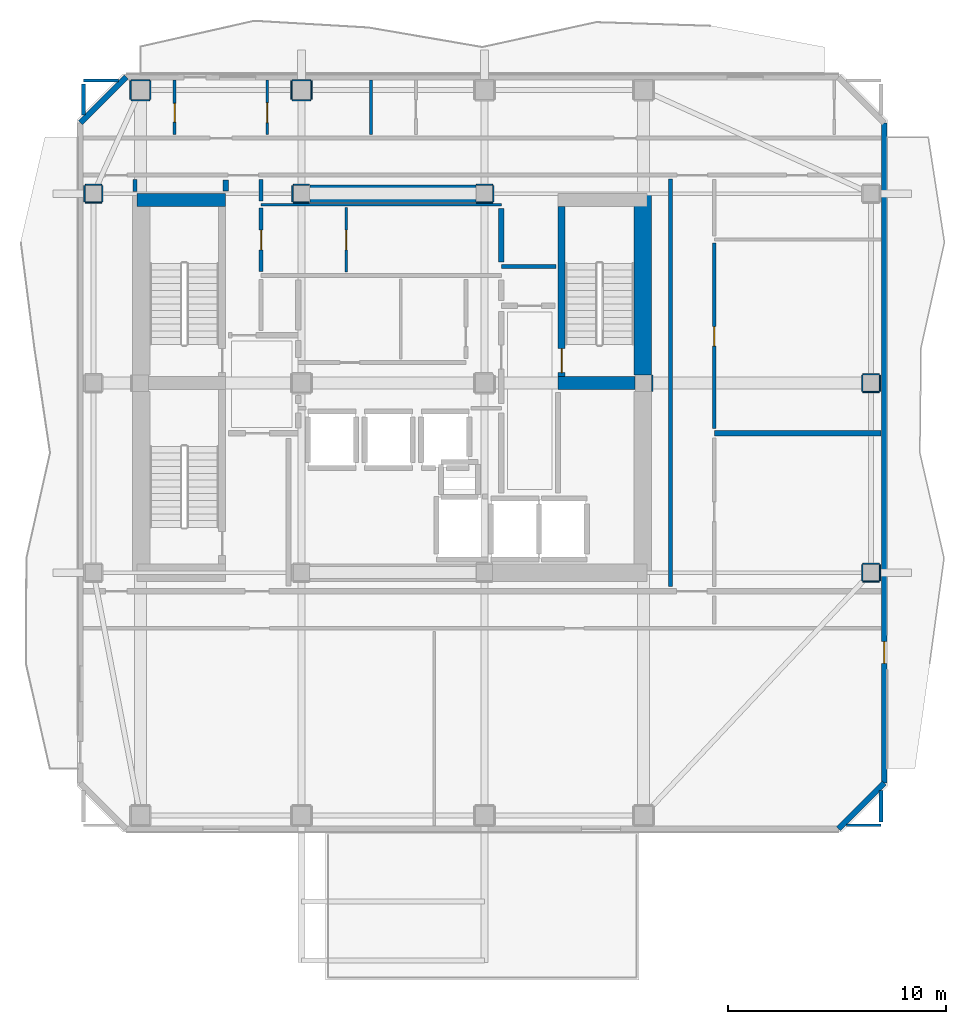
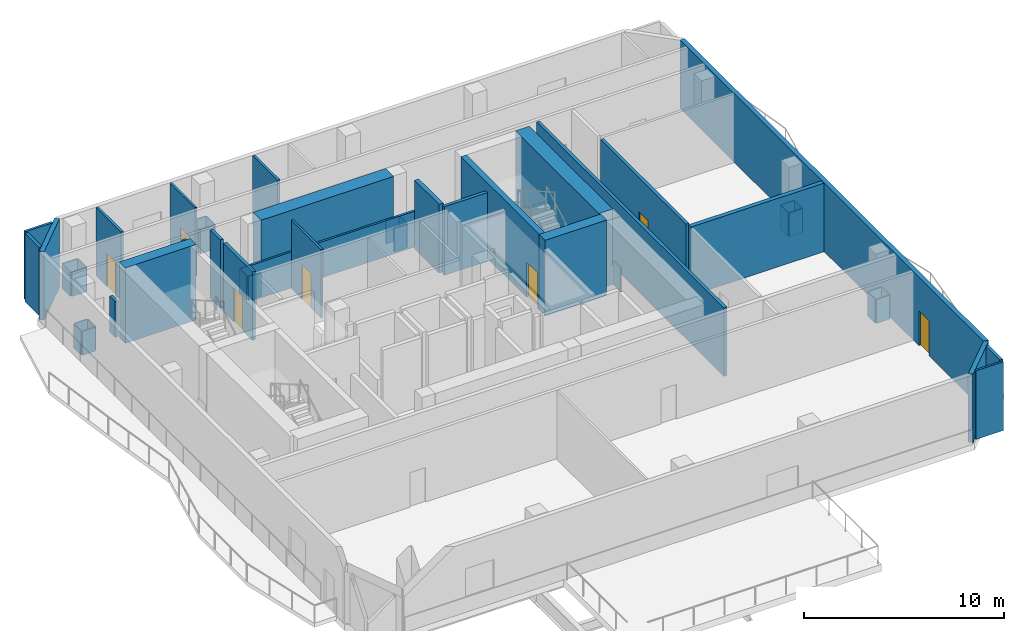
# One storey, part 4 of 10: 53 walls, 7 doors, 7 openings.
"""IFC4 building model written with IfcOpenShell, lengths in metres."""

from ifc_helpers import new_model, si_unit, direction, frame, frame_2d, origin, place, context, subcontext, project, spatial, rectangle, extrude, material, layer, layer_set, type_object, element, fill, save


model = new_model("IFC4")

# Units and contexts
model_context = context("Model", 3, precision=1e-05, world=origin(), true_north=direction((0.0, 1.0)))
body_context = subcontext(model_context, "Body", "Model", "MODEL_VIEW")
ifc_project = project(units=[si_unit("LENGTHUNIT", "METRE"), si_unit("AREAUNIT", "SQUARE_METRE"), si_unit("VOLUMEUNIT", "CUBIC_METRE"), si_unit("PLANEANGLEUNIT", "RADIAN"), si_unit("MASSUNIT", "GRAM", prefix="KILO")], contexts=[model_context])

# Site, building, storey
site_placement = place(None, origin())
site = spatial("IfcSite", under=ifc_project, at=site_placement, CompositionType="ELEMENT")
building_placement = place(site_placement, origin())
building = spatial("IfcBuilding", under=site, at=building_placement, Name="Solanera Arch Residences", CompositionType="ELEMENT")
storey_placement = place(building_placement, frame((0.0, 0.0, 226.679931640625)))
storey = spatial("IfcBuildingStorey", under=building, at=storey_placement, Name="L66", CompositionType="ELEMENT", Elevation=226.679931640625)

# Walls
ifc_material_1 = material(Name="Fire-Rated Gypsum Stud Partition", Category="gypsum")
ifc_layer_1 = layer(ifc_material_1, 0.06005859375)
ifc_layer_set_1 = layer_set([ifc_layer_1], Name="Fire-Rated Gypsum Stud Partition")
wall_type_1 = type_object("IfcWallType", Name="Column Acoustic Furring Wall 60", PredefinedType="PARTITIONING", material=ifc_layer_set_1)
for number, where, z_axis, x_axis, name in (
    (1, (20.425048828125, 38.992919921875, 0.0), (0.0, 0.0, 1.0), (1.0, 0.0, 0.0), "L66 Column Furring 3S"),
    (2, (20.425048828125, 39.806884765625, 0.0), (0.0, 0.0, 1.0), (1.0, 0.0, 0.0), "L66 Column Furring 3N"),
):
    element("IfcWall", number, at=place(storey_placement, frame(where, z_axis=z_axis, x_axis=x_axis)), inside=storey, type_object=wall_type_1, Name=name, PredefinedType="PARTITIONING", context=body_context, shape_type="SweptSolid", body=[
        extrude(rectangle(XDim=0.741943359375, YDim=0.06005859375, at=frame_2d((0.37109375, 0.0))), origin(), (0.0, 0.0, 1.0), 1.449951171875),
    ])
wall_1_placement = place(storey_placement, frame((20.39306640625, 39.02490234375, 0.0), z_axis=(0.0, 0.0, 1.0), x_axis=(0.0, 1.0, 0.0)))
element("IfcWall", 3, at=wall_1_placement, inside=storey, type_object=wall_type_1, Name="L66 Column Furring 3W", PredefinedType="PARTITIONING", context=body_context, shape_type="SweptSolid", body=[
    extrude(rectangle(XDim=0.75, YDim=0.06005859375, at=frame_2d((0.375, 0.0))), origin(), (0.0, 0.0, 1.0), 1.449951171875),
])
for number, where, z_axis, x_axis, name in (
    (4, (28.8330078125, 38.992919921875, 0.0), (0.0, 0.0, 1.0), (1.0, 0.0, 0.0), "L66 Column Furring 4S"),
    (5, (28.8330078125, 39.806884765625, 0.0), (0.0, 0.0, 1.0), (1.0, 0.0, 0.0), "L66 Column Furring 4N"),
):
    element("IfcWall", number, at=place(storey_placement, frame(where, z_axis=z_axis, x_axis=x_axis)), inside=storey, type_object=wall_type_1, Name=name, PredefinedType="PARTITIONING", context=body_context, shape_type="SweptSolid", body=[
        extrude(rectangle(XDim=0.741943359375, YDim=0.06005859375, at=frame_2d((0.37109375, 0.0))), origin(), (0.0, 0.0, 1.0), 1.449951171875),
    ])
for number, where, z_axis, x_axis, name in (
    (6, (29.60693359375, 39.02490234375, 0.0), (0.0, 0.0, 1.0), (0.0, 1.0, 0.0), "L66 Column Furring 4E"),
    (7, (36.906982421875, 30.324951171875, 0.0), (0.0, 0.0, 1.0), (0.0, 1.0, 0.0), "L66 Column Furring 6E"),
):
    element("IfcWall", number, at=place(storey_placement, frame(where, z_axis=z_axis, x_axis=x_axis)), inside=storey, type_object=wall_type_1, Name=name, PredefinedType="PARTITIONING", context=body_context, shape_type="SweptSolid", body=[
        extrude(rectangle(XDim=0.75, YDim=0.06005859375, at=frame_2d((0.375, 0.0))), origin(), (0.0, 0.0, 1.0), 1.449951171875),
    ])
for number, where, z_axis, x_axis, name in (
    (8, (12.97509765625, 43.693115234375, 0.0), (0.0, 0.0, 1.0), (1.0, 0.0, 0.0), "L66 Column Furring 10S"),
    (9, (12.97509765625, 44.60693359375, 0.0), (0.0, 0.0, 1.0), (1.0, 0.0, 0.0), "L66 Column Furring 10N"),
    (10, (12.943115234375, 43.72509765625, 0.0), (0.0, 0.0, 1.0), (0.0, 1.0, 0.0), "L66 Column Furring 10W"),
    (11, (13.85693359375, 43.72509765625, 0.0), (0.0, 0.0, 1.0), (0.0, 1.0, 0.0), "L66 Column Furring 10E"),
):
    element("IfcWall", number, at=place(storey_placement, frame(where, z_axis=z_axis, x_axis=x_axis)), inside=storey, type_object=wall_type_1, Name=name, PredefinedType="PARTITIONING", context=body_context, shape_type="SweptSolid", body=[
        extrude(rectangle(XDim=0.849853515625, YDim=0.06005859375, at=frame_2d((0.4248046875, 0.0))), origin(), (0.0, 0.0, 1.0), 1.449951171875),
    ])
for number, where, z_axis, x_axis, name in (
    (12, (20.375, 43.693115234375, 0.0), (0.0, 0.0, 1.0), (1.0, 0.0, 0.0), "L66 Column Furring 12S"),
    (13, (20.375, 44.60693359375, 0.0), (0.0, 0.0, 1.0), (1.0, 0.0, 0.0), "L66 Column Furring 12N"),
):
    element("IfcWall", number, at=place(storey_placement, frame(where, z_axis=z_axis, x_axis=x_axis)), inside=storey, type_object=wall_type_1, Name=name, PredefinedType="PARTITIONING", context=body_context, shape_type="SweptSolid", body=[
        extrude(rectangle(XDim=0.85009765625, YDim=0.06005859375, at=frame_2d((0.425048828125, 0.0))), origin(), (0.0, 0.0, 1.0), 1.449951171875),
    ])
for number, where, z_axis, x_axis, name in (
    (14, (20.343017578125, 43.72509765625, 0.0), (0.0, 0.0, 1.0), (0.0, 1.0, 0.0), "L66 Column Furring 12W"),
    (15, (21.257080078125, 43.72509765625, 0.0), (0.0, 0.0, 1.0), (0.0, 1.0, 0.0), "L66 Column Furring 12E"),
):
    element("IfcWall", number, at=place(storey_placement, frame(where, z_axis=z_axis, x_axis=x_axis)), inside=storey, type_object=wall_type_1, Name=name, PredefinedType="PARTITIONING", context=body_context, shape_type="SweptSolid", body=[
        extrude(rectangle(XDim=0.849853515625, YDim=0.06005859375, at=frame_2d((0.4248046875, 0.0))), origin(), (0.0, 0.0, 1.0), 1.449951171875),
    ])
for number, where, z_axis, x_axis, name in (
    (16, (46.574951171875, 21.593017578125, 0.0), (0.0, 0.0, 1.0), (1.0, 0.0, 0.0), "L66 Column Furring 18S"),
    (17, (46.574951171875, 22.406982421875, 0.0), (0.0, 0.0, 1.0), (1.0, 0.0, 0.0), "L66 Column Furring 18N"),
    (18, (46.54296875, 21.625, 0.0), (0.0, 0.0, 1.0), (0.0, 1.0, 0.0), "L66 Column Furring 18W"),
    (19, (47.35693359375, 21.625, 0.0), (0.0, 0.0, 1.0), (0.0, 1.0, 0.0), "L66 Column Furring 18E"),
    (20, (46.574951171875, 30.29296875, 0.0), (0.0, 0.0, 1.0), (1.0, 0.0, 0.0), "L66 Column Furring 20S"),
    (21, (46.574951171875, 31.10693359375, 0.0), (0.0, 0.0, 1.0), (1.0, 0.0, 0.0), "L66 Column Furring 20N"),
    (22, (46.54296875, 30.324951171875, 0.0), (0.0, 0.0, 1.0), (0.0, 1.0, 0.0), "L66 Column Furring 20W"),
    (23, (47.35693359375, 30.324951171875, 0.0), (0.0, 0.0, 1.0), (0.0, 1.0, 0.0), "L66 Column Furring 20E"),
    (24, (10.875, 38.992919921875, 0.0), (0.0, 0.0, 1.0), (1.0, 0.0, 0.0), "L66 Column Furring 21S"),
    (25, (10.875, 39.806884765625, 0.0), (0.0, 0.0, 1.0), (1.0, 0.0, 0.0), "L66 Column Furring 21N"),
    (26, (10.843017578125, 39.02490234375, 0.0), (0.0, 0.0, 1.0), (0.0, 1.0, 0.0), "L66 Column Furring 21W"),
    (27, (11.656982421875, 39.02490234375, 0.0), (0.0, 0.0, 1.0), (0.0, 1.0, 0.0), "L66 Column Furring 21E"),
):
    element("IfcWall", number, at=place(storey_placement, frame(where, z_axis=z_axis, x_axis=x_axis)), inside=storey, type_object=wall_type_1, Name=name, PredefinedType="PARTITIONING", context=body_context, shape_type="SweptSolid", body=[
        extrude(rectangle(XDim=0.75, YDim=0.06005859375, at=frame_2d((0.375, 0.0))), origin(), (0.0, 0.0, 1.0), 1.449951171875),
    ])

# Wall, opening, door
ifc_material_2 = material(Name="Concrete C40/50 (f'c = 45 MPa)", Category="concrete")
ifc_layer_2 = layer(ifc_material_2, 0.320068359375)
ifc_layer_set_2 = layer_set([ifc_layer_2], Name="Concrete C40/50 (f'c = 45 MPa)")
wall_type_2 = type_object("IfcWallType", Name="Core Shear Wall CW-320", PredefinedType="SHEAR", material=ifc_layer_set_2)
wall_2_placement = place(storey_placement, frame((32.739990234375, 31.0, 0.0), z_axis=(0.0, 0.0, 1.0), x_axis=(0.0, 1.0, 0.0)))
wall_2 = element("IfcWall", 28, at=wall_2_placement, inside=storey, type_object=wall_type_2, Name="L66 Stair ST-T2 West Shear Wall", PredefinedType="SHEAR", context=body_context, shape_type="SweptSolid", body=[
    extrude(rectangle(XDim=7.800048828125, YDim=0.320068359375, at=frame_2d((3.89990234375, 0.0))), origin(), (0.0, 0.0, 1.0), 4.60009765625),
])
opening_1_placement = place(wall_2_placement, frame((0.18994140625, 0.0, 0.0)))
opening_1 = element("IfcOpeningElement", 29, at=opening_1_placement, cuts=wall_2, Name="Opening DF-01", PredefinedType="OPENING", context=body_context, shape_type="SweptSolid", body=[
    extrude(rectangle(XDim=1.10009765625, YDim=2.14990234375, at=frame_2d((0.550048828125, 1.074951171875))), frame((0.0, 0.169921875, 0.0), z_axis=(0.0, -1.0, 0.0), x_axis=(1.0, 0.0, 0.0)), (0.0, 0.0, 1.0), 0.3401),
])
ifc_material_3 = material(Name="Fire-Rated Architectural Hardwood", Category="wood")
door_type_1 = type_object("IfcDoorType", Name="Stair Exit Fire Door DF-01", OperationType="NOTDEFINED", PredefinedType="DOOR", material=ifc_material_3)
door_1_placement = place(opening_1_placement, origin())
door_1 = element("IfcDoor", 30, at=door_1_placement, inside=storey, type_object=door_type_1, Name="DR-L66-STAIR-ST-T2", OperationType="SINGLE_SWING_RIGHT", OverallHeight=2.14990234375, OverallWidth=1.10009765625, PredefinedType="DOOR", context=body_context, shape_type="SweptSolid", body=[
    extrude(rectangle(XDim=1.10009765625, YDim=2.14990234375, at=frame_2d((0.550048828125, 1.074951171875))), frame((0.0, 0.02490234375, 0.0), z_axis=(0.0, -1.0, 0.0), x_axis=(1.0, 0.0, 0.0)), (0.0, 0.0, 1.0), 0.050048828125),
])
fill(opening_1, door_1)

# Walls
ifc_material_4 = material(Name="Concrete C40/50 (f'c = 45 MPa)", Category="concrete")
ifc_layer_3 = layer(ifc_material_4, 0.60009765625)
ifc_layer_set_3 = layer_set([ifc_layer_3], Name="Concrete C40/50 (f'c = 45 MPa)")
wall_type_3 = type_object("IfcWallType", Name="Core Shear Wall CW-600", PredefinedType="SHEAR", material=ifc_layer_set_3)
wall_3_placement = place(storey_placement, frame((13.239990234375, 39.10009765625, 0.0), z_axis=(0.0, 0.0, 1.0), x_axis=(1.0, 0.0, 0.0)))
element("IfcWall", 31, at=wall_3_placement, inside=storey, type_object=wall_type_3, Name="L66 North-West Core Shear Wall", PredefinedType="SHEAR", context=body_context, shape_type="SweptSolid", body=[
    extrude(rectangle(XDim=4.080078125, YDim=0.60009765625, at=frame_2d((2.0400390625, 0.0))), origin(), (0.0, 0.0, 1.0), 4.60009765625),
])
wall_4_placement = place(storey_placement, frame((32.580078125, 30.699951171875, 0.0), z_axis=(0.0, 0.0, 1.0), x_axis=(1.0, 0.0, 0.0)))
element("IfcWall", 32, at=wall_4_placement, inside=storey, type_object=wall_type_3, Name="L66 East Stair Far-Landing Shear Wall", PredefinedType="SHEAR", context=body_context, shape_type="SweptSolid", body=[
    extrude(rectangle(XDim=3.5400390625, YDim=0.60009765625, at=frame_2d((1.77001953125, 0.0))), origin(), (0.0, 0.0, 1.0), 4.60009765625),
])
ifc_material_5 = material(Name="Concrete C40/50 (f'c = 45 MPa)", Category="concrete")
ifc_layer_4 = layer(ifc_material_5, 0.800048828125)
ifc_layer_set_4 = layer_set([ifc_layer_4], Name="Concrete C40/50 (f'c = 45 MPa)")
wall_type_4 = type_object("IfcWallType", Name="Core Shear Wall CW-800", PredefinedType="SHEAR", material=ifc_layer_set_4)
wall_5_placement = place(storey_placement, frame((36.4599609375, 31.080078125, 0.0), z_axis=(0.0, 0.0, 1.0), x_axis=(0.0, 1.0, 0.0)))
element("IfcWall", 33, at=wall_5_placement, inside=storey, type_object=wall_type_4, Name="L66 East Core North Shear Wall", PredefinedType="SHEAR", context=body_context, shape_type="SweptSolid", body=[
    extrude(rectangle(XDim=8.31982421875, YDim=0.800048828125, at=frame_2d((4.159912109375, 0.0))), origin(), (0.0, 0.0, 1.0), 4.60009765625),
])
wall_6_placement = place(storey_placement, frame((21.179931640625, 39.39990234375, 0.0), z_axis=(0.0, 0.0, 1.0), x_axis=(1.0, 0.0, 0.0)))
element("IfcWall", 34, at=wall_6_placement, inside=storey, type_object=wall_type_4, Name="L66 Central North Core Shear Wall", PredefinedType="SHEAR", context=body_context, shape_type="SweptSolid", body=[
    extrude(rectangle(XDim=7.64013671875, YDim=0.800048828125, at=frame_2d((3.820068359375, 0.0))), origin(), (0.0, 0.0, 1.0), 4.60009765625),
])
ifc_material_6 = material(Name="Autoclaved Aerated Concrete Blockwork", Category="masonry")
ifc_layer_5 = layer(ifc_material_6, 0.179931640625)
ifc_layer_set_5 = layer_set([ifc_layer_5], Name="Autoclaved Aerated Concrete Blockwork")
wall_type_5 = type_object("IfcWallType", Name="Corridor Fire Partition 180", PredefinedType="PARTITIONING", material=ifc_layer_set_5)
wall_7_placement = place(storey_placement, frame((29.97509765625, 36.050048828125, 0.0), z_axis=(0.0, 0.0, 1.0), x_axis=(1.0, 0.0, 0.0)))
element("IfcWall", 35, at=wall_7_placement, inside=storey, type_object=wall_type_5, Name="L66 Interior Partition H11", PredefinedType="PARTITIONING", context=body_context, shape_type="SweptSolid", body=[
    extrude(rectangle(XDim=2.5048828125, YDim=0.179931640625, at=frame_2d((1.25244140625, 0.0))), origin(), (0.0, 0.0, 1.0), 4.18017578125),
])
wall_8_placement = place(storey_placement, frame((10.800048828125, 43.010986328125, 0.0), z_axis=(0.0, 0.0, 1.0), x_axis=(0.0, 1.0, 0.0)))
element("IfcWall", 36, at=wall_8_placement, inside=storey, type_object=wall_type_5, Name="L66 Interior Partition V6 2", PredefinedType="PARTITIONING", context=body_context, shape_type="SweptSolid", body=[
    extrude(rectangle(XDim=1.4208984375, YDim=0.179931640625, at=frame_2d((0.71044921875, 0.0))), origin(), (0.0, 0.0, 1.0), 4.18017578125),
])
wall_9_placement = place(storey_placement, frame((13.14990234375, 39.5, 0.0), z_axis=(0.0, 0.0, 1.0), x_axis=(0.0, 1.0, 0.0)))
element("IfcWall", 37, at=wall_9_placement, inside=storey, type_object=wall_type_5, Name="L66 Interior Partition V7", PredefinedType="PARTITIONING", context=body_context, shape_type="SweptSolid", body=[
    extrude(rectangle(XDim=0.56201171875, YDim=0.179931640625, at=frame_2d((0.281005859375, 0.0))), origin(), (0.0, 0.0, 1.0), 2.18505859375),
])

# Wall, opening, door
wall_10_placement = place(storey_placement, frame((18.949951171875, 35.837890625, 0.0), z_axis=(0.0, 0.0, 1.0), x_axis=(0.0, 1.0, 0.0)))
wall_10 = element("IfcWall", 38, at=wall_10_placement, inside=storey, type_object=wall_type_5, Name="L66 Interior Partition V8 2", PredefinedType="PARTITIONING", context=body_context, shape_type="SweptSolid", body=[
    extrude(rectangle(XDim=2.904052734375, YDim=0.179931640625, at=frame_2d((1.4521484375, 0.0))), origin(), (0.0, 0.0, 1.0), 4.18017578125),
])
opening_2_placement = place(wall_10_placement, frame((0.987060546875, 0.0, 0.0)))
opening_2 = element("IfcOpeningElement", 39, at=opening_2_placement, cuts=wall_10, Name="Opening DI-02", PredefinedType="OPENING", context=body_context, shape_type="SweptSolid", body=[
    extrude(rectangle(XDim=0.89990234375, YDim=2.10009765625, at=frame_2d((0.449951171875, 1.050048828125))), frame((0.0, 0.10009765625, 0.0), z_axis=(0.0, -1.0, 0.0), x_axis=(1.0, 0.0, 0.0)), (0.0, 0.0, 1.0), 0.1999),
])
ifc_material_7 = material(Name="Fire-Rated Architectural Hardwood", Category="wood")
door_type_2 = type_object("IfcDoorType", Name="Suite Room Swing Door DI-02", OperationType="NOTDEFINED", PredefinedType="DOOR", material=ifc_material_7)
door_2_placement = place(opening_2_placement, origin())
door_2 = element("IfcDoor", 40, at=door_2_placement, inside=storey, type_object=door_type_2, Name="DR-L66-IN-014", OperationType="SINGLE_SWING_RIGHT", OverallHeight=2.10009765625, OverallWidth=0.89990234375, PredefinedType="DOOR", context=body_context, shape_type="SweptSolid", body=[
    extrude(rectangle(XDim=0.89990234375, YDim=2.10009765625, at=frame_2d((0.449951171875, 1.050048828125))), frame((0.0, 0.02490234375, 0.0), z_axis=(0.0, -1.0, 0.0), x_axis=(1.0, 0.0, 0.0)), (0.0, 0.0, 1.0), 0.050048828125),
])
fill(opening_2, door_2)

# Walls
wall_11_placement = place(storey_placement, frame((18.949951171875, 39.05810546875, 0.0), z_axis=(0.0, 0.0, 1.0), x_axis=(0.0, 1.0, 0.0)))
element("IfcWall", 41, at=wall_11_placement, inside=storey, type_object=wall_type_5, Name="L66 Interior Partition V8 3", PredefinedType="PARTITIONING", context=body_context, shape_type="SweptSolid", body=[
    extrude(rectangle(XDim=1.00390625, YDim=0.179931640625, at=frame_2d((0.501953125, 0.0))), origin(), (0.0, 0.0, 1.0), 4.18017578125),
])
wall_12_placement = place(storey_placement, frame((37.75, 21.367919921875, 0.0), z_axis=(0.0, 0.0, 1.0), x_axis=(0.0, 1.0, 0.0)))
element("IfcWall", 42, at=wall_12_placement, inside=storey, type_object=wall_type_5, Name="L66 Interior Partition V10", PredefinedType="PARTITIONING", context=body_context, shape_type="SweptSolid", body=[
    extrude(rectangle(XDim=18.694091796875, YDim=0.179931640625, at=frame_2d((9.34716796875, 0.0))), origin(), (0.0, 0.0, 1.0), 4.18017578125),
])

# Wall, opening, door
wall_13_placement = place(storey_placement, frame((39.75, 28.617919921875, 0.0), z_axis=(0.0, 0.0, 1.0), x_axis=(0.0, 1.0, 0.0)))
wall_13 = element("IfcWall", 43, at=wall_13_placement, inside=storey, type_object=wall_type_5, Name="L66 Interior Partition V11 3", PredefinedType="PARTITIONING", context=body_context, shape_type="SweptSolid", body=[
    extrude(rectangle(XDim=8.51416015625, YDim=0.179931640625, at=frame_2d((4.257080078125, 0.0))), origin(), (0.0, 0.0, 1.0), 4.18017578125),
])
opening_3_placement = place(wall_13_placement, frame((3.781982421875, 0.0, 0.0)))
opening_3 = element("IfcOpeningElement", 44, at=opening_3_placement, cuts=wall_13, Name="Opening DI-02", PredefinedType="OPENING", context=body_context, shape_type="SweptSolid", body=[
    extrude(rectangle(XDim=0.89990234375, YDim=2.10009765625, at=frame_2d((0.449951171875, 1.050048828125))), frame((0.0, 0.10009765625, 0.0), z_axis=(0.0, -1.0, 0.0), x_axis=(1.0, 0.0, 0.0)), (0.0, 0.0, 1.0), 0.1999),
])
door_3_placement = place(opening_3_placement, origin())
door_3 = element("IfcDoor", 45, at=door_3_placement, inside=storey, type_object=door_type_2, Name="DR-L66-IN-021", OperationType="SINGLE_SWING_LEFT", OverallHeight=2.10009765625, OverallWidth=0.89990234375, PredefinedType="DOOR", context=body_context, shape_type="SweptSolid", body=[
    extrude(rectangle(XDim=0.89990234375, YDim=2.10009765625, at=frame_2d((0.449951171875, 1.050048828125))), frame((0.0, 0.02490234375, 0.0), z_axis=(0.0, -1.0, 0.0), x_axis=(1.0, 0.0, 0.0)), (0.0, 0.0, 1.0), 0.050048828125),
])
fill(opening_3, door_3)

# Walls
wall_14_placement = place(storey_placement, frame((47.39990234375, 10.55810546875, 0.0), z_axis=(0.0, 0.0, 1.0), x_axis=(0.0, 1.0, 0.0)))
element("IfcWall", 46, at=wall_14_placement, inside=storey, type_object=wall_type_5, Name="L66 Interior Partition V12", PredefinedType="PARTITIONING", context=body_context, shape_type="SweptSolid", body=[
    extrude(rectangle(XDim=1.430908203125, YDim=0.179931640625, at=frame_2d((0.71533203125, 0.0))), origin(), (0.0, 0.0, 1.0), 4.18017578125),
])
ifc_material_8 = material(Name="Precast Concrete C35/45", Category="concrete")
ifc_layer_6 = layer(ifc_material_8, 0.260009765625)
ifc_layer_set_6 = layer_set([ifc_layer_6], Name="Precast Concrete C35/45")
wall_type_6 = type_object("IfcWallType", Name="Exterior Wall Precast Masonry-Frame 260", PredefinedType="STANDARD", material=ifc_layer_set_6)
wall_15_placement = place(storey_placement, frame((10.64501953125, 42.655029296875, 0.0), z_axis=(0.0, 0.0, 1.0), x_axis=(0.707147883682, 0.707065676302, 0.0)))
element("IfcWall", 47, at=wall_15_placement, inside=storey, type_object=wall_type_6, Name="L66 Tower Exterior Precast Masonry-Frame Wall CH1", PredefinedType="STANDARD", context=body_context, shape_type="SweptSolid", body=[
    extrude(rectangle(XDim=2.9697265625, YDim=0.260009765625, at=frame_2d((1.48486328125, 0.0))), origin(), (0.0, 0.0, 1.0), 4.18017578125),
])

# Wall, opening, door
wall_16_placement = place(storey_placement, frame((47.554931640625, 42.655029296875, 0.0), z_axis=(0.0, 0.0, 1.0), x_axis=(0.0, -1.0, 0.0)))
wall_16 = element("IfcWall", 48, at=wall_16_placement, inside=storey, type_object=wall_type_6, Name="L66 Tower Exterior Precast Masonry-Frame Wall E", PredefinedType="STANDARD", context=body_context, shape_type="SweptSolid", body=[
    extrude(rectangle(XDim=30.31005859375, YDim=0.260009765625, at=frame_2d((15.155029296875, 0.0))), origin(), (0.0, 0.0, 1.0), 4.18017578125),
])
opening_4_placement = place(wall_16_placement, frame((23.818115234375, 0.0, 0.0)))
opening_4 = element("IfcOpeningElement", 49, at=opening_4_placement, cuts=wall_16, Name="Opening DB-01", PredefinedType="OPENING", context=body_context, shape_type="SweptSolid", body=[
    extrude(rectangle(XDim=1.0, YDim=2.14990234375, at=frame_2d((0.5, 1.074951171875))), frame((0.0, 0.139892578125, 0.0), z_axis=(0.0, -1.0, 0.0), x_axis=(1.0, 0.0, 0.0)), (0.0, 0.0, 1.0), 0.28),
])
ifc_material_9 = material(Name="Anodised Aluminium Alloy 6063-T6", Category="aluminium")
door_type_3 = type_object("IfcDoorType", Name="Glazed Balcony Swing Door DB-01", OperationType="NOTDEFINED", PredefinedType="DOOR", material=ifc_material_9)
door_4_placement = place(opening_4_placement, origin())
door_4 = element("IfcDoor", 50, at=door_4_placement, inside=storey, type_object=door_type_3, Name="DR-L66-OUT-02", OperationType="SINGLE_SWING_LEFT", OverallHeight=2.14990234375, OverallWidth=1.0, PredefinedType="DOOR", context=body_context, shape_type="SweptSolid", body=[
    extrude(rectangle(XDim=1.0, YDim=2.14990234375, at=frame_2d((0.5, 1.074951171875))), frame((0.0, 0.02490234375, 0.0), z_axis=(0.0, -1.0, 0.0), x_axis=(1.0, 0.0, 0.0)), (0.0, 0.0, 1.0), 0.050048828125),
])
fill(opening_4, door_4)

# Walls
wall_17_placement = place(storey_placement, frame((47.554931640625, 12.344970703125, 0.0), z_axis=(0.0, 0.0, 1.0), x_axis=(-0.707106781187, -0.707106781187, 0.0)))
element("IfcWall", 51, at=wall_17_placement, inside=storey, type_object=wall_type_6, Name="L66 Tower Exterior Precast Masonry-Frame Wall CH5", PredefinedType="STANDARD", context=body_context, shape_type="SweptSolid", body=[
    extrude(rectangle(XDim=2.9697265625, YDim=0.260009765625, at=frame_2d((1.48486328125, 0.0))), origin(), (0.0, 0.0, 1.0), 4.18017578125),
])
ifc_material_10 = material(Name="Autoclaved Aerated Concrete Blockwork", Category="masonry")
ifc_layer_7 = layer(ifc_material_10, 0.239990234375)
ifc_layer_set_7 = layer_set([ifc_layer_7], Name="Autoclaved Aerated Concrete Blockwork")
wall_type_7 = type_object("IfcWallType", Name="Shaft Wall Fire-Rated 240", PredefinedType="PARTITIONING", material=ifc_layer_set_7)
wall_18_placement = place(storey_placement, frame((39.75, 28.39990234375, 0.0), z_axis=(0.0, 0.0, 1.0), x_axis=(1.0, 0.0, 0.0)))
element("IfcWall", 52, at=wall_18_placement, inside=storey, type_object=wall_type_7, Name="L66 Interior Partition H4", PredefinedType="PARTITIONING", context=body_context, shape_type="SweptSolid", body=[
    extrude(rectangle(XDim=7.6630859375, YDim=0.239990234375, at=frame_2d((3.83154296875, 0.0))), origin(), (0.0, 0.0, 1.0), 4.18017578125),
])
wall_19_placement = place(storey_placement, frame((17.320068359375, 39.530029296875, 0.0), z_axis=(0.0, 0.0, 1.0), x_axis=(0.0, 1.0, 0.0)))
element("IfcWall", 53, at=wall_19_placement, inside=storey, type_object=wall_type_7, Name="L66 Interior Partition V1", PredefinedType="PARTITIONING", context=body_context, shape_type="SweptSolid", body=[
    extrude(rectangle(XDim=0.501953125, YDim=0.239990234375, at=frame_2d((0.2509765625, 0.0))), origin(), (0.0, 0.0, 1.0), 4.18017578125),
])
wall_20_placement = place(storey_placement, frame((29.97509765625, 36.26806640625, 0.0), z_axis=(0.0, 0.0, 1.0), x_axis=(0.0, 1.0, 0.0)))
element("IfcWall", 54, at=wall_20_placement, inside=storey, type_object=wall_type_7, Name="L66 Interior Partition V4 4", PredefinedType="PARTITIONING", context=body_context, shape_type="SweptSolid", body=[
    extrude(rectangle(XDim=2.44384765625, YDim=0.239990234375, at=frame_2d((1.221923828125, 0.0))), origin(), (0.0, 0.0, 1.0), 4.18017578125),
])
ifc_material_11 = material(Name="Fire-Rated Gypsum Stud Partition", Category="gypsum")
ifc_layer_8 = layer(ifc_material_11, 0.1201171875)
ifc_layer_set_8 = layer_set([ifc_layer_8], Name="Fire-Rated Gypsum Stud Partition")
wall_type_8 = type_object("IfcWallType", Name="Unit Drywall Partition 120", PredefinedType="PARTITIONING", material=ifc_layer_set_8)
wall_21_placement = place(storey_placement, frame((45.81103515625, 10.39990234375, 0.0), z_axis=(0.0, 0.0, 1.0), x_axis=(1.0, 0.0, 0.0)))
element("IfcWall", 55, at=wall_21_placement, inside=storey, type_object=wall_type_8, Name="L66 Interior Partition H16 2", PredefinedType="PARTITIONING", context=body_context, shape_type="SweptSolid", body=[
    extrude(rectangle(XDim=1.5888671875, YDim=0.1201171875, at=frame_2d((0.79443359375, 0.0))), origin(), (0.0, 0.0, 1.0), 4.18017578125),
])
wall_22_placement = place(storey_placement, frame((18.949951171875, 38.89990234375, 0.0), z_axis=(0.0, 0.0, 1.0), x_axis=(1.0, 0.0, 0.0)))
element("IfcWall", 56, at=wall_22_placement, inside=storey, type_object=wall_type_8, Name="L66 Interior Partition H17", PredefinedType="PARTITIONING", context=body_context, shape_type="SweptSolid", body=[
    extrude(rectangle(XDim=11.025146484375, YDim=0.1201171875, at=frame_2d((5.5126953125, 0.0))), origin(), (0.0, 0.0, 1.0), 2.18505859375),
])

# Wall, opening, door
wall_23_placement = place(storey_placement, frame((19.219970703125, 42.10791015625, 0.0), z_axis=(0.0, 0.0, 1.0), x_axis=(0.0, 1.0, 0.0)))
wall_23 = element("IfcWall", 57, at=wall_23_placement, inside=storey, type_object=wall_type_8, Name="L66 Interior Partition V17", PredefinedType="PARTITIONING", context=body_context, shape_type="SweptSolid", body=[
    extrude(rectangle(XDim=2.505126953125, YDim=0.1201171875, at=frame_2d((1.25244140625, 0.0))), origin(), (0.0, 0.0, 1.0), 4.18017578125),
])
opening_5_placement = place(wall_23_placement, frame((0.556884765625, 0.0, 0.0)))
opening_5 = element("IfcOpeningElement", 58, at=opening_5_placement, cuts=wall_23, Name="Opening DI-02", PredefinedType="OPENING", context=body_context, shape_type="SweptSolid", body=[
    extrude(rectangle(XDim=0.89990234375, YDim=2.10009765625, at=frame_2d((0.449951171875, 1.050048828125))), frame((0.0, 0.070068359375, 0.0), z_axis=(0.0, -1.0, 0.0), x_axis=(1.0, 0.0, 0.0)), (0.0, 0.0, 1.0), 0.1401),
])
door_5_placement = place(opening_5_placement, origin())
door_5 = element("IfcDoor", 59, at=door_5_placement, inside=storey, type_object=door_type_2, Name="DR-L66-IN-025", OperationType="SINGLE_SWING_LEFT", OverallHeight=2.10009765625, OverallWidth=0.89990234375, PredefinedType="DOOR", context=body_context, shape_type="SweptSolid", body=[
    extrude(rectangle(XDim=0.89990234375, YDim=2.10009765625, at=frame_2d((0.449951171875, 1.050048828125))), frame((0.0, 0.02490234375, 0.0), z_axis=(0.0, -1.0, 0.0), x_axis=(1.0, 0.0, 0.0)), (0.0, 0.0, 1.0), 0.050048828125),
])
fill(opening_5, door_5)

wall_24_placement = place(storey_placement, frame((22.85009765625, 35.80810546875, 0.0), z_axis=(0.0, 0.0, 1.0), x_axis=(0.0, 1.0, 0.0)))
wall_24 = element("IfcWall", 60, at=wall_24_placement, inside=storey, type_object=wall_type_8, Name="L66 Interior Partition V18", PredefinedType="PARTITIONING", context=body_context, shape_type="SweptSolid", body=[
    extrude(rectangle(XDim=2.9638671875, YDim=0.1201171875, at=frame_2d((1.48193359375, 0.0))), origin(), (0.0, 0.0, 1.0), 4.18017578125),
])
opening_6_placement = place(wall_24_placement, frame((1.01708984375, 0.0, 0.0)))
opening_6 = element("IfcOpeningElement", 61, at=opening_6_placement, cuts=wall_24, Name="Opening DI-02", PredefinedType="OPENING", context=body_context, shape_type="SweptSolid", body=[
    extrude(rectangle(XDim=0.89990234375, YDim=2.10009765625, at=frame_2d((0.449951171875, 1.050048828125))), frame((0.0, 0.070068359375, 0.0), z_axis=(0.0, -1.0, 0.0), x_axis=(1.0, 0.0, 0.0)), (0.0, 0.0, 1.0), 0.1401),
])
door_6_placement = place(opening_6_placement, origin())
door_6 = element("IfcDoor", 62, at=door_6_placement, inside=storey, type_object=door_type_2, Name="DR-L66-IN-015", OperationType="SINGLE_SWING_LEFT", OverallHeight=2.10009765625, OverallWidth=0.89990234375, PredefinedType="DOOR", context=body_context, shape_type="SweptSolid", body=[
    extrude(rectangle(XDim=0.89990234375, YDim=2.10009765625, at=frame_2d((0.449951171875, 1.050048828125))), frame((0.0, 0.02490234375, 0.0), z_axis=(0.0, -1.0, 0.0), x_axis=(1.0, 0.0, 0.0)), (0.0, 0.0, 1.0), 0.050048828125),
])
fill(opening_6, door_6)

# Wall
ifc_material_12 = material(Name="Autoclaved Aerated Concrete Blockwork", Category="masonry")
ifc_layer_9 = layer(ifc_material_12, 0.139892578125)
ifc_layer_set_9 = layer_set([ifc_layer_9], Name="Autoclaved Aerated Concrete Blockwork")
wall_type_9 = type_object("IfcWallType", Name="Wet-Room Partition 140", PredefinedType="PARTITIONING", material=ifc_layer_set_9)
wall_25_placement = place(storey_placement, frame((10.800048828125, 44.60009765625, 0.0), z_axis=(0.0, 0.0, 1.0), x_axis=(1.0, 0.0, 0.0)))
element("IfcWall", 63, at=wall_25_placement, inside=storey, type_object=wall_type_9, Name="L66 Interior Partition H15 1", PredefinedType="PARTITIONING", context=body_context, shape_type="SweptSolid", body=[
    extrude(rectangle(XDim=1.5888671875, YDim=0.139892578125, at=frame_2d((0.79443359375, 0.0))), origin(), (0.0, 0.0, 1.0), 4.18017578125),
])

# Wall, opening, door
wall_26_placement = place(storey_placement, frame((14.97998046875, 42.117919921875, 0.0), z_axis=(0.0, 0.0, 1.0), x_axis=(0.0, 1.0, 0.0)))
wall_26 = element("IfcWall", 64, at=wall_26_placement, inside=storey, type_object=wall_type_9, Name="L66 Interior Partition V14", PredefinedType="PARTITIONING", context=body_context, shape_type="SweptSolid", body=[
    extrude(rectangle(XDim=2.4951171875, YDim=0.139892578125, at=frame_2d((1.24755859375, 0.0))), origin(), (0.0, 0.0, 1.0), 4.18017578125),
])
opening_7_placement = place(wall_26_placement, frame((0.56689453125, 0.0, 0.0)))
opening_7 = element("IfcOpeningElement", 65, at=opening_7_placement, cuts=wall_26, Name="Opening DI-05", PredefinedType="OPENING", context=body_context, shape_type="SweptSolid", body=[
    extrude(rectangle(XDim=0.860107421875, YDim=2.02001953125, at=frame_2d((0.43017578125, 1.010009765625))), frame((0.0, 0.079833984375, 0.0), z_axis=(0.0, -1.0, 0.0), x_axis=(1.0, 0.0, 0.0)), (0.0, 0.0, 1.0), 0.1599),
])
ifc_material_13 = material(Name="Fire-Rated Architectural Hardwood", Category="wood")
door_type_4 = type_object("IfcDoorType", Name="Bathroom Swing Door DI-05", OperationType="NOTDEFINED", PredefinedType="DOOR", material=ifc_material_13)
door_7_placement = place(opening_7_placement, origin())
door_7 = element("IfcDoor", 66, at=door_7_placement, inside=storey, type_object=door_type_4, Name="DR-L66-IN-024", OperationType="SINGLE_SWING_RIGHT", OverallHeight=2.02001953125, OverallWidth=0.860107421875, PredefinedType="DOOR", context=body_context, shape_type="SweptSolid", body=[
    extrude(rectangle(XDim=0.860107421875, YDim=2.02001953125, at=frame_2d((0.43017578125, 1.010009765625))), frame((0.0, 0.02490234375, 0.0), z_axis=(0.0, -1.0, 0.0), x_axis=(1.0, 0.0, 0.0)), (0.0, 0.0, 1.0), 0.050048828125),
])
fill(opening_7, door_7)

# Wall
wall_27_placement = place(storey_placement, frame((24.0, 42.117919921875, 0.0), z_axis=(0.0, 0.0, 1.0), x_axis=(0.0, 1.0, 0.0)))
element("IfcWall", 67, at=wall_27_placement, inside=storey, type_object=wall_type_9, Name="L66 Interior Partition V15", PredefinedType="PARTITIONING", context=body_context, shape_type="SweptSolid", body=[
    extrude(rectangle(XDim=2.4951171875, YDim=0.139892578125, at=frame_2d((1.24755859375, 0.0))), origin(), (0.0, 0.0, 1.0), 4.18017578125),
])

save(model, "model.ifc")
